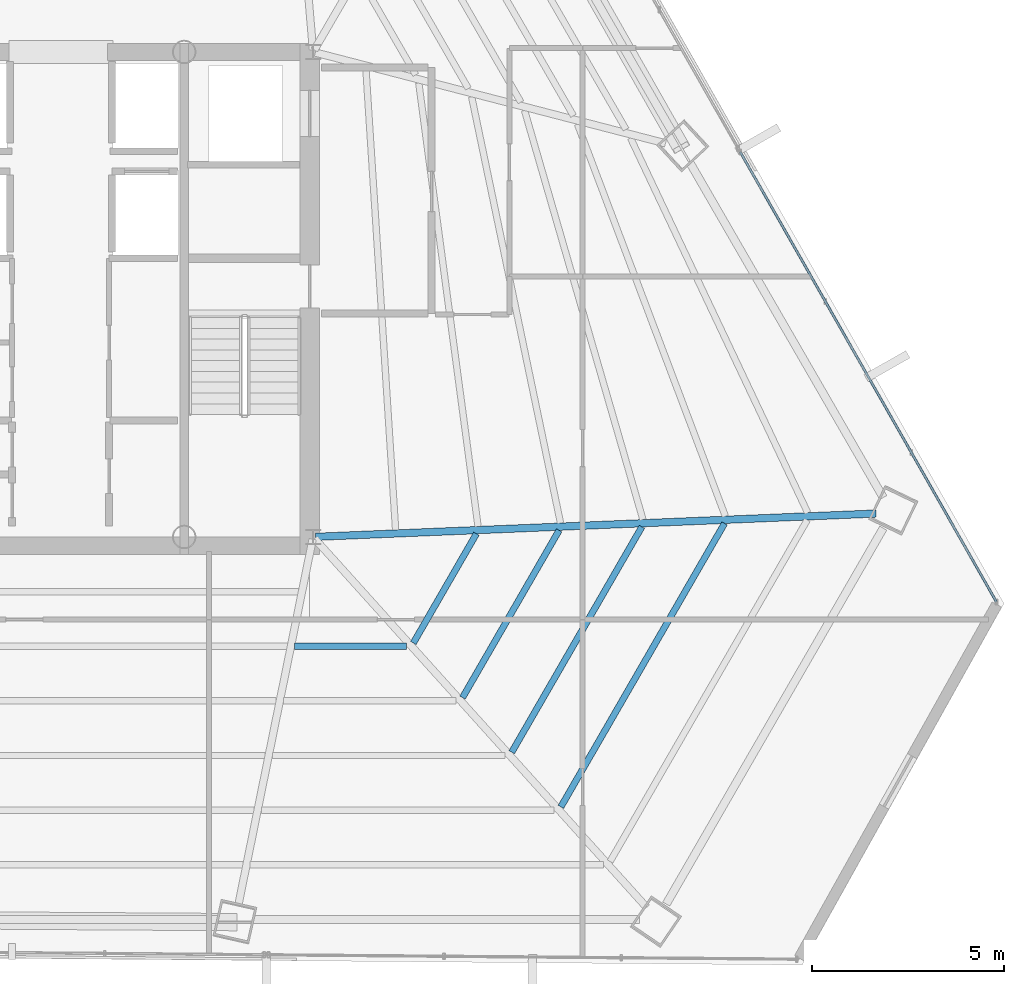
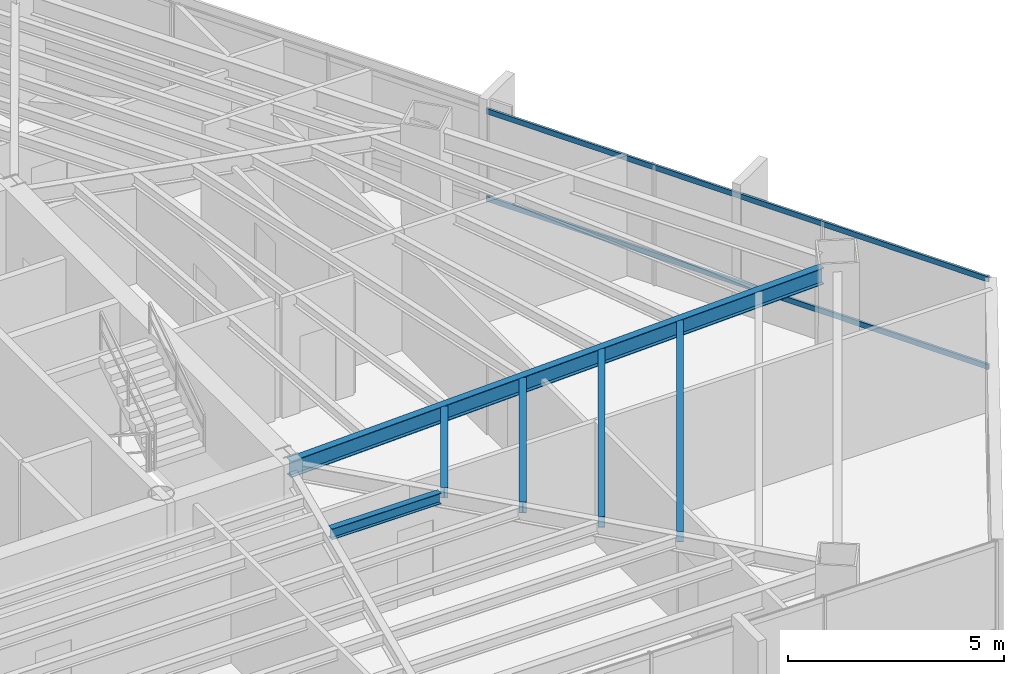
# One storey, part 20 of 38: 6 beams, 2 members, 1 element without a shape of its own.
"""IFC4 building model written with IfcOpenShell, lengths in metres."""

import ifcopenshell
import ifcopenshell.guid

model = None  # the IFC model being written
_history = None  # IfcOwnerHistory: only IFC2X3 demands one
_inside = {}  # id of a spatial element -> (the spatial element, [elements in it])
_under = {}  # id of a project, library or spatial element -> (it, [spatial elements below it])
_declared = {}  # id of a project -> (the project, [libraries it declares])
_typed = {}  # id of a type object -> (the type object, [elements of that type])
_made_of = {}  # id of a material, layer set ... -> (it, [elements and type objects made of it])


def new_model(schema):
    """Start an empty IFC model of exactly this schema.

    Asked for "IFC4X3", IfcOpenShell would pick the latest addendum, in which some entities
    have other attributes; the version numbers below select the first issue.
    IFC2X3 requires an IfcOwnerHistory on every rooted entity: one is made here for all.
    """
    global model, _history
    if schema == "IFC4X3":
        model = ifcopenshell.file(schema_version=(4, 3, 0, 0))
    else:
        model = ifcopenshell.file(schema=schema)
    _inside.clear()
    _under.clear()
    _declared.clear()
    _typed.clear()
    _made_of.clear()
    _history = None
    if model.schema == "IFC2X3":
        org = make("IfcOrganization", Name="unknown")
        user = make(
            "IfcPersonAndOrganization",
            ThePerson=make("IfcPerson", FamilyName="unknown"),
            TheOrganization=org,
        )
        app = make(
            "IfcApplication",
            ApplicationDeveloper=org,
            Version="unknown",
            ApplicationFullName="unknown",
            ApplicationIdentifier="unknown",
        )
        _history = make(
            "IfcOwnerHistory",
            OwningUser=user,
            OwningApplication=app,
            ChangeAction="ADDED",
            CreationDate=0,
        )
    return model


def make(cls, **values):
    """One entity of the class cls with the attributes given. An attribute that is None is left unset."""
    return model.create_entity(
        cls, **{name: value for name, value in values.items() if value is not None}
    )


def rooted(cls, **values):
    """An entity with a GlobalId (a new one), such as an element, a storey or a relation."""
    return make(cls, GlobalId=ifcopenshell.guid.new(), OwnerHistory=_history, **values)


def si_unit(unit_type, name, prefix=None):
    """IfcSIUnit, for example si_unit("LENGTHUNIT", "METRE", prefix="MILLI")."""
    return make("IfcSIUnit", UnitType=unit_type, Prefix=prefix, Name=name)


def assignment(units):
    """IfcUnitAssignment: the units of a project."""
    return None if units is None else make("IfcUnitAssignment", Units=units)


def point(xyz):
    """IfcCartesianPoint."""
    return None if xyz is None else make("IfcCartesianPoint", Coordinates=xyz)


def direction(xyz):
    """IfcDirection."""
    return None if xyz is None else make("IfcDirection", DirectionRatios=xyz)


def frame(location, z_axis=None, x_axis=None):
    """IfcAxis2Placement3D, a coordinate frame: its origin and axes. An axis left out is left unset."""
    return make(
        "IfcAxis2Placement3D",
        Location=point(location),
        Axis=direction(z_axis),
        RefDirection=direction(x_axis),
    )


def frame_2d(location, x_axis=None):
    """IfcAxis2Placement2D, a coordinate frame in the plane: its origin and x axis."""
    return make(
        "IfcAxis2Placement2D", Location=point(location), RefDirection=direction(x_axis)
    )


def origin():
    """The frame at (0, 0, 0) with its axes left unset."""
    return frame((0.0, 0.0, 0.0))


def origin_2d():
    """The frame at (0, 0) in the plane with its x axis left unset."""
    return frame_2d((0.0, 0.0))


def place(relative_to, where):
    """IfcLocalPlacement: puts the frame where relative to a parent placement (None: the world)."""
    return make(
        "IfcLocalPlacement", PlacementRelTo=relative_to, RelativePlacement=where
    )


def context(
    kind, dimensions, precision=None, world=None, true_north=None, identifier=None
):
    """IfcGeometricRepresentationContext, for example the 3D "Model" context."""
    return make(
        "IfcGeometricRepresentationContext",
        ContextIdentifier=identifier,
        ContextType=kind,
        CoordinateSpaceDimension=dimensions,
        Precision=precision,
        WorldCoordinateSystem=world,
        TrueNorth=true_north,
    )


def subcontext(parent, identifier, kind, view, scale=None):
    """IfcGeometricRepresentationSubContext, for example "Body" below "Model"."""
    return make(
        "IfcGeometricRepresentationSubContext",
        ContextIdentifier=identifier,
        ContextType=kind,
        ParentContext=parent,
        TargetScale=scale,
        TargetView=view,
    )


def project(units=None, contexts=None):
    """IfcProject with its units and contexts."""
    return rooted(
        "IfcProject",
        Name="project",
        RepresentationContexts=contexts,
        UnitsInContext=assignment(units),
    )


def spatial(cls, under=None, at=None, **own):
    """A site, building, storey or space (cls), placed at a placement, below another one or the project."""
    s = rooted(cls, ObjectPlacement=at, **own)
    if under is not None:
        _under.setdefault(under.id(), (under, []))[1].append(s)
    return s


def profile(cls, at=None, kind="AREA", **sizes):
    """A parametric profile (cls). Its sizes go by their IFC names, for example OverallWidth=200.0."""
    return make(cls, ProfileType=kind, Position=at, **sizes)


def hollow_rectangle(**sizes):
    """IfcRectangleHollowProfileDef."""
    return profile("IfcRectangleHollowProfileDef", **sizes)


def i_section(**sizes):
    """IfcIShapeProfileDef."""
    return profile("IfcIShapeProfileDef", **sizes)


def extrude(swept, where, along, depth):
    """IfcExtrudedAreaSolid: the profile swept, set in the frame where, extruded along a direction by depth."""
    return make(
        "IfcExtrudedAreaSolid",
        SweptArea=swept,
        Position=where,
        ExtrudedDirection=direction(along),
        Depth=depth,
    )


def shape(context_of_items, identifier, shape_type, items):
    """IfcShapeRepresentation: the items that make up one representation, for example the "Body"."""
    return make(
        "IfcShapeRepresentation",
        ContextOfItems=context_of_items,
        RepresentationIdentifier=identifier,
        RepresentationType=shape_type,
        Items=items,
    )


def source(mapping_origin, context_of_items, identifier, shape_type, items):
    """IfcRepresentationMap: a shape defined once, which mapped items show again and again."""
    return make(
        "IfcRepresentationMap",
        MappingOrigin=mapping_origin,
        MappedRepresentation=shape(context_of_items, identifier, shape_type, items),
    )


def transform(
    local_origin,
    x_axis=None,
    y_axis=None,
    z_axis=None,
    scale=None,
    scale2=None,
    scale3=None,
    uniform=True,
):
    """IfcCartesianTransformationOperator3D, or its non-uniform kind. x_axis, y_axis, z_axis: its Axis1, 2, 3."""
    if uniform:
        return make(
            "IfcCartesianTransformationOperator3D",
            Axis1=direction(x_axis),
            Axis2=direction(y_axis),
            LocalOrigin=point(local_origin),
            Scale=scale,
            Axis3=direction(z_axis),
        )
    return make(
        "IfcCartesianTransformationOperator3DnonUniform",
        Axis1=direction(x_axis),
        Axis2=direction(y_axis),
        LocalOrigin=point(local_origin),
        Scale=scale,
        Axis3=direction(z_axis),
        Scale2=scale2,
        Scale3=scale3,
    )


def mapped(mapping_source, mapping_target):
    """IfcMappedItem: shows the shape of a source again, moved by a transform."""
    return make(
        "IfcMappedItem", MappingSource=mapping_source, MappingTarget=mapping_target
    )


def material(Name=None, Category=None):
    """IfcMaterial."""
    return make("IfcMaterial", Name=Name, Category=Category)


def material_profile(
    of_material, cross_section, Name=None, Category=None, Priority=None
):
    """IfcMaterialProfile: a cross section and its material."""
    return make(
        "IfcMaterialProfile",
        Name=Name,
        Material=of_material,
        Profile=cross_section,
        Priority=Priority,
        Category=Category,
    )


def profile_set(profiles, Name=None, composite=None):
    """IfcMaterialProfileSet."""
    return make(
        "IfcMaterialProfileSet",
        Name=Name,
        MaterialProfiles=profiles,
        CompositeProfile=composite,
    )


def made_of(thing, what):
    """Note that an element or type object is made of a material, layer set ...; save() writes the relation."""
    if what is not None:
        _made_of.setdefault(what.id(), (what, []))[1].append(thing)
    return thing


def type_object(cls, material=None, **own):
    """A type object (cls), such as IfcWallType, which elements share."""
    return made_of(rooted(cls, **own), material)


def type_shapes(of_type, sources):
    """Give a type object the sources (RepresentationMaps) that its elements show as mapped items."""
    of_type.RepresentationMaps = sources


def element(
    cls,
    number,
    at=None,
    inside=None,
    cuts=None,
    type_object=None,
    material=None,
    context=None,
    identifier="Body",
    shape_type=None,
    held_by="IfcProductDefinitionShape",
    body=None,
    shapes=None,
    **own,
):
    """One element of the class cls, such as IfcWall. Its Tag is "e" and its number.

    at: its placement. inside: the storey or other place that contains it. cuts: it is an
    opening in that element (IfcRelVoidsElement). A single representation is given by context,
    identifier, shape_type and body (its items); several are given by shapes. held_by: the class
    of the entity that holds the representations. save() writes the other relations.
    """
    e = rooted(cls, Tag="e%d" % number, ObjectPlacement=at, **own)
    if body is not None:
        shapes = [shape(context, identifier, shape_type, body)]
    if shapes is not None:
        e.Representation = make(held_by, Representations=shapes)
    if inside is not None:
        _inside.setdefault(inside.id(), (inside, []))[1].append(e)
    if cuts is not None:
        rooted(
            "IfcRelVoidsElement", RelatingBuildingElement=cuts, RelatedOpeningElement=e
        )
    if type_object is not None:
        _typed.setdefault(type_object.id(), (type_object, []))[1].append(e)
    return made_of(e, material)


def aggregate(whole, parts):
    """IfcRelAggregates: a whole, such as a stair, and the parts it consists of."""
    return rooted("IfcRelAggregates", RelatingObject=whole, RelatedObjects=parts)


def save(model, path):
    """Write the relations noted so far, then the file.

    IfcRelAggregates (storeys below a building ...), IfcRelContainedInSpatialStructure (elements
    in a storey), IfcRelDefinesByType, IfcRelAssociatesMaterial and IfcRelDeclares: one each for
    every whole, place, type object, material and project.
    """
    for whole, parts in _under.values():
        aggregate(whole, parts)
    for where, things in _inside.values():
        rooted(
            "IfcRelContainedInSpatialStructure",
            RelatedElements=things,
            RelatingStructure=where,
        )
    for kind, things in _typed.values():
        rooted("IfcRelDefinesByType", RelatedObjects=things, RelatingType=kind)
    for what, things in _made_of.values():
        rooted("IfcRelAssociatesMaterial", RelatedObjects=things, RelatingMaterial=what)
    for by, libraries in _declared.values():
        rooted("IfcRelDeclares", RelatingContext=by, RelatedDefinitions=libraries)
    model.write(path)


model = new_model("IFC4")

# Units and contexts
model_context = context("Model", 3, precision=1e-05, world=origin(), true_north=direction((0.0, 1.0)))
body_context = subcontext(model_context, "Body", "Model", "MODEL_VIEW")
ifc_project = project(units=[si_unit("LENGTHUNIT", "METRE"), si_unit("AREAUNIT", "SQUARE_METRE"), si_unit("VOLUMEUNIT", "CUBIC_METRE"), si_unit("PLANEANGLEUNIT", "RADIAN"), si_unit("MASSUNIT", "GRAM", prefix="KILO")], contexts=[model_context])

# Site, building, storey
site_placement = place(None, origin())
site = spatial("IfcSite", under=ifc_project, at=site_placement, CompositionType="ELEMENT")
building_placement = place(site_placement, origin())
building = spatial("IfcBuilding", under=site, at=building_placement, Name="Caelisora Broadcast Tower", CompositionType="ELEMENT")
storey_placement = place(building_placement, frame((0.0, 0.0, 158.5)))
storey = spatial("IfcBuildingStorey", under=building, at=storey_placement, Name="L41", CompositionType="ELEMENT", Elevation=158.5)

# Beams
ifc_material_1 = material(Name="Steel Grade 350 (AS/NZS 3679.1)", Category="steel")
ifc_material_profile_1 = material_profile(ifc_material_1, i_section(OverallWidth=0.19091796875, OverallDepth=0.46044921875, WebThickness=0.010009765625, FlangeThickness=0.01611328125, at=origin_2d()), Name="Steel Grade 350 (AS/NZS 3679.1)")
ifc_profile_set_1 = profile_set([ifc_material_profile_1], Name="Steel Grade 350 (AS/NZS 3679.1)")
beam_type_1 = type_object("IfcBeamType", Name="PG06", PredefinedType="BEAM", material=ifc_profile_set_1)
shared_shape_1 = source(origin(), body_context, "Body", "SweptSolid", [
    extrude(i_section(OverallWidth=0.19091796875, OverallDepth=0.46044921875, WebThickness=0.010009765625, FlangeThickness=0.01611328125, at=origin_2d()), origin(), (0.0, 0.0, 1.0), 14.5751953125),
])
type_shapes(beam_type_1, [shared_shape_1])
beam_1_placement = place(storey_placement, frame((45.559814453125, 17.402587890625, 3.169921875), z_axis=(0.999135393968, 0.041574806328, 0.0), x_axis=(-0.041574806328, 0.999135393968, 0.0)))
element("IfcBeam", 1, at=beam_1_placement, inside=storey, type_object=beam_type_1, Name="L41 beam PG06", PredefinedType="BEAM", context=body_context, shape_type="MappedRepresentation", body=[
    mapped(shared_shape_1, transform((0.0, 0.0, 0.0), scale=1.0)),
])
ifc_material_profile_2 = material_profile(ifc_material_1, i_section(OverallWidth=0.166015625, OverallDepth=0.30712890625, WebThickness=0.006591796875, FlangeThickness=0.01171875, at=origin_2d()), Name="Steel Grade 350 (AS/NZS 3679.1)")
ifc_profile_set_2 = profile_set([ifc_material_profile_2], Name="Steel Grade 350 (AS/NZS 3679.1)")
beam_type_2 = type_object("IfcBeamType", Name="SB03", PredefinedType="JOIST", material=ifc_profile_set_2)
shared_shape_2 = source(origin(), body_context, "Body", "SweptSolid", [
    extrude(i_section(OverallWidth=0.166015625, OverallDepth=0.30712890625, WebThickness=0.006591796875, FlangeThickness=0.01171875, at=origin_2d()), origin(), (0.0, 0.0, 1.0), 3.276611328125),
])
beam_2_placement = place(storey_placement, frame((48.104248046875, 14.645751953125, 3.246337890625), z_axis=(0.500025583411, 0.866010632691, 0.0), x_axis=(-0.866010632691, 0.500025583411, 0.0)))
element("IfcBeam", 2, at=beam_2_placement, inside=storey, type_object=beam_type_2, Name="L41 beam SB03", PredefinedType="JOIST", context=body_context, shape_type="MappedRepresentation", body=[
    mapped(shared_shape_2, transform((0.0, 0.0, 0.0), scale=1.0)),
])
shared_shape_3 = source(origin(), body_context, "Body", "SweptSolid", [
    extrude(i_section(OverallWidth=0.166015625, OverallDepth=0.30712890625, WebThickness=0.006591796875, FlangeThickness=0.01171875, at=origin_2d()), origin(), (0.0, 0.0, 1.0), 5.018798828125),
])
beam_3_placement = place(storey_placement, frame((49.382080078125, 13.2265625, 3.246337890625), z_axis=(0.500015802937, 0.866016279763, 0.0), x_axis=(-0.866016279763, 0.500015802937, 0.0)))
element("IfcBeam", 3, at=beam_3_placement, inside=storey, type_object=beam_type_2, Name="L41 beam SB03", PredefinedType="JOIST", context=body_context, shape_type="MappedRepresentation", body=[
    mapped(shared_shape_3, transform((0.0, 0.0, 0.0), scale=1.0)),
])
shared_shape_4 = source(origin(), body_context, "Body", "SweptSolid", [
    extrude(i_section(OverallWidth=0.166015625, OverallDepth=0.30712890625, WebThickness=0.006591796875, FlangeThickness=0.01171875, at=origin_2d()), origin(), (0.0, 0.0, 1.0), 6.7607421875),
])
beam_4_placement = place(storey_placement, frame((50.659912109375, 11.807373046875, 3.246337890625), z_axis=(0.499999616612, 0.866025625133, 0.0), x_axis=(-0.866025625133, 0.499999616612, 0.0)))
element("IfcBeam", 4, at=beam_4_placement, inside=storey, type_object=beam_type_2, Name="L41 beam SB03", PredefinedType="JOIST", context=body_context, shape_type="MappedRepresentation", body=[
    mapped(shared_shape_4, transform((0.0, 0.0, 0.0), scale=1.0)),
])
shared_shape_5 = source(origin(), body_context, "Body", "SweptSolid", [
    extrude(i_section(OverallWidth=0.166015625, OverallDepth=0.30712890625, WebThickness=0.006591796875, FlangeThickness=0.01171875, at=origin_2d()), origin(), (0.0, 0.0, 1.0), 8.503173828125),
])
beam_5_placement = place(storey_placement, frame((51.9375, 10.387939453125, 3.246337890625), z_axis=(0.500008265196, 0.866020631818, 0.0), x_axis=(-0.866020631818, 0.500008265196, 0.0)))
element("IfcBeam", 5, at=beam_5_placement, inside=storey, type_object=beam_type_2, Name="L41 beam SB03", PredefinedType="JOIST", context=body_context, shape_type="MappedRepresentation", body=[
    mapped(shared_shape_5, transform((0.0, 0.0, 0.0), scale=1.0)),
])
shared_shape_6 = source(origin(), body_context, "Body", "SweptSolid", [
    extrude(i_section(OverallWidth=0.166015625, OverallDepth=0.30712890625, WebThickness=0.006591796875, FlangeThickness=0.01171875, at=origin_2d()), origin(), (0.0, 0.0, 1.0), 2.912353515625),
])
type_shapes(beam_type_2, [shared_shape_2, shared_shape_3, shared_shape_4, shared_shape_5, shared_shape_6])
beam_6_placement = place(storey_placement, frame((45.017822265625, 14.5615234375, 3.246337890625), z_axis=(1.0, 0.0, 0.0), x_axis=(0.0, 1.0, 0.0)))
element("IfcBeam", 6, at=beam_6_placement, inside=storey, type_object=beam_type_2, Name="L41 beam SB03", PredefinedType="JOIST", context=body_context, shape_type="MappedRepresentation", body=[
    mapped(shared_shape_6, transform((0.0, 0.0, 0.0), scale=1.0)),
])

# Curtain wall, members
ifc_material_2 = material(Name="Unitised Aluminium and Low-E Glass Curtain Wall", Category="glass")
curtain_wall_type = type_object("IfcCurtainWallType", Name="CW-Z3", PredefinedType="NOTDEFINED", material=ifc_material_2)
curtain_wall_placement = place(storey_placement, origin())
curtain_wall = element("IfcCurtainWall", 7, at=curtain_wall_placement, inside=storey, type_object=curtain_wall_type, Name="L41 curtain wall CW-Z3", PredefinedType="NOTDEFINED")
ifc_material_3 = material(Name="Aluminium 6063-T6 Anodised Terracotta Bronze", Category="aluminium")
ifc_material_profile_3 = material_profile(ifc_material_3, hollow_rectangle(XDim=0.06005859375, YDim=0.14990234375, WallThickness=0.00341796875, at=origin_2d()), Name="Aluminium 6063-T6 Anodised Terracotta Bronze")
ifc_profile_set_3 = profile_set([ifc_material_profile_3], Name="Aluminium 6063-T6 Anodised Terracotta Bronze")
member_type = type_object("IfcMemberType", Name="CWT-02", PredefinedType="USERDEFINED", material=ifc_profile_set_3)
shared_shape_7 = source(origin(), body_context, "Body", "SweptSolid", [
    extrude(hollow_rectangle(XDim=0.06005859375, YDim=0.14990234375, WallThickness=0.00341796875, at=origin_2d()), origin(), (0.0, 0.0, 1.0), 13.451416015625),
])
type_shapes(member_type, [shared_shape_7])
member_1_placement = place(storey_placement, frame((56.595947265625, 27.401611328125, 0.85009765625), z_axis=(0.494832717732, -0.868988251625, 0.0), x_axis=(0.868988251625, 0.494832717732, 0.0)))
member_1 = element("IfcMember", 8, at=member_1_placement, type_object=member_type, Name="L41-CW-B03 transom #1", ObjectType="TRANSOM", PredefinedType="USERDEFINED", context=body_context, shape_type="MappedRepresentation", body=[
    mapped(shared_shape_7, transform((0.0, 0.0, 0.0), scale=1.0)),
])
member_2_placement = place(storey_placement, frame((56.595947265625, 27.401611328125, 3.320068359375), z_axis=(0.494832717732, -0.868988251625, 0.0), x_axis=(0.868988251625, 0.494832717732, 0.0)))
member_2 = element("IfcMember", 9, at=member_2_placement, type_object=member_type, Name="L41-CW-B03 transom #2", ObjectType="TRANSOM", PredefinedType="USERDEFINED", context=body_context, shape_type="MappedRepresentation", body=[
    mapped(shared_shape_7, transform((0.0, 0.0, 0.0), scale=1.0)),
])
aggregate(curtain_wall, [member_1, member_2])

save(model, "model.ifc")
